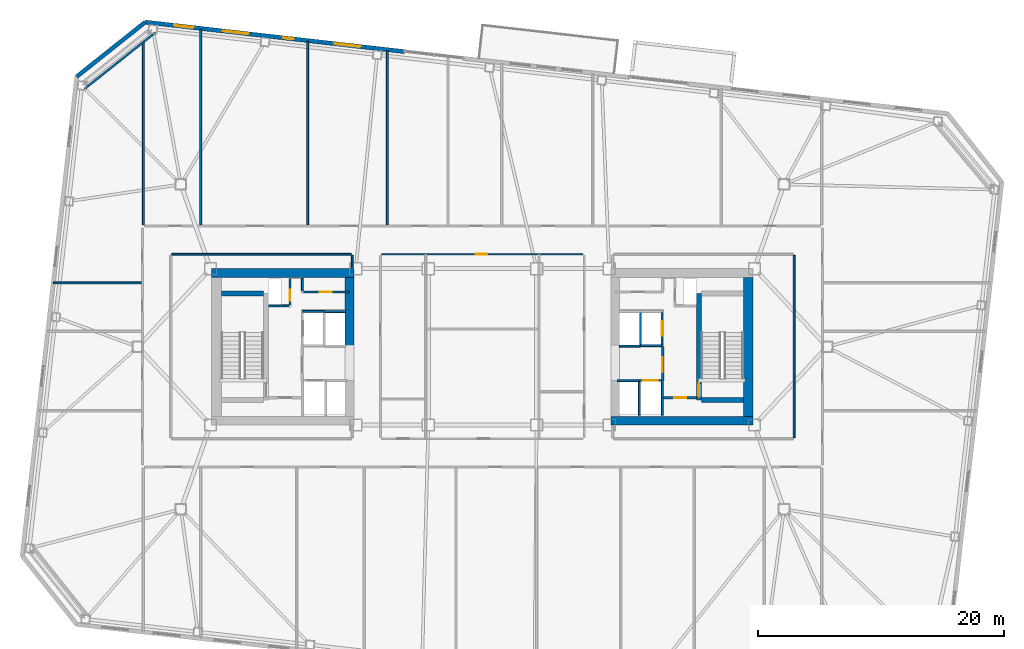
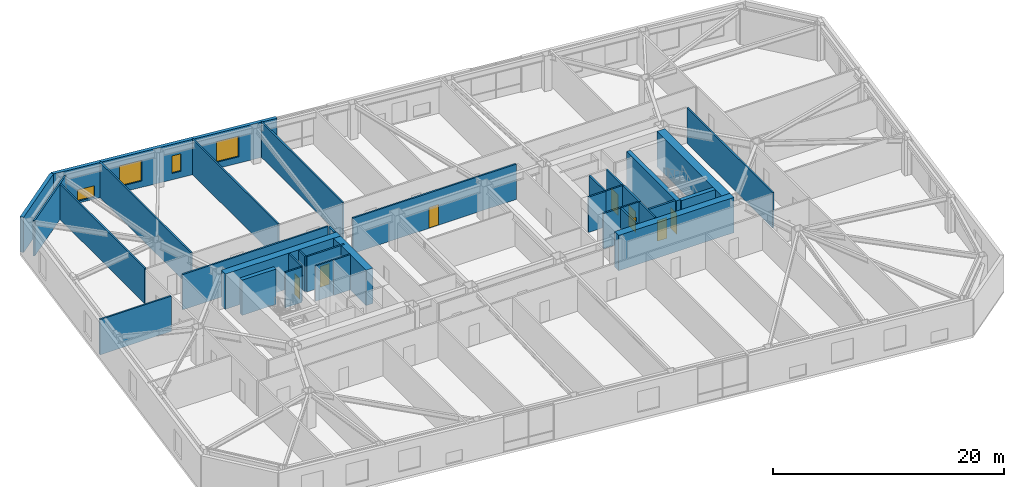
# One storey, part 13 of 21: 35 walls, 8 doors, 4 windows, 12 openings.
"""IFC4 building model written with IfcOpenShell, lengths in metres."""

import ifcopenshell
import ifcopenshell.guid

model = None  # the IFC model being written
_history = None  # IfcOwnerHistory: only IFC2X3 demands one
_inside = {}  # id of a spatial element -> (the spatial element, [elements in it])
_under = {}  # id of a project, library or spatial element -> (it, [spatial elements below it])
_declared = {}  # id of a project -> (the project, [libraries it declares])
_typed = {}  # id of a type object -> (the type object, [elements of that type])
_made_of = {}  # id of a material, layer set ... -> (it, [elements and type objects made of it])


def new_model(schema):
    """Start an empty IFC model of exactly this schema.

    Asked for "IFC4X3", IfcOpenShell would pick the latest addendum, in which some entities
    have other attributes; the version numbers below select the first issue.
    IFC2X3 requires an IfcOwnerHistory on every rooted entity: one is made here for all.
    """
    global model, _history
    if schema == "IFC4X3":
        model = ifcopenshell.file(schema_version=(4, 3, 0, 0))
    else:
        model = ifcopenshell.file(schema=schema)
    _inside.clear()
    _under.clear()
    _declared.clear()
    _typed.clear()
    _made_of.clear()
    _history = None
    if model.schema == "IFC2X3":
        org = make("IfcOrganization", Name="unknown")
        user = make(
            "IfcPersonAndOrganization",
            ThePerson=make("IfcPerson", FamilyName="unknown"),
            TheOrganization=org,
        )
        app = make(
            "IfcApplication",
            ApplicationDeveloper=org,
            Version="unknown",
            ApplicationFullName="unknown",
            ApplicationIdentifier="unknown",
        )
        _history = make(
            "IfcOwnerHistory",
            OwningUser=user,
            OwningApplication=app,
            ChangeAction="ADDED",
            CreationDate=0,
        )
    return model


def make(cls, **values):
    """One entity of the class cls with the attributes given. An attribute that is None is left unset."""
    return model.create_entity(
        cls, **{name: value for name, value in values.items() if value is not None}
    )


def rooted(cls, **values):
    """An entity with a GlobalId (a new one), such as an element, a storey or a relation."""
    return make(cls, GlobalId=ifcopenshell.guid.new(), OwnerHistory=_history, **values)


def si_unit(unit_type, name, prefix=None):
    """IfcSIUnit, for example si_unit("LENGTHUNIT", "METRE", prefix="MILLI")."""
    return make("IfcSIUnit", UnitType=unit_type, Prefix=prefix, Name=name)


def assignment(units):
    """IfcUnitAssignment: the units of a project."""
    return None if units is None else make("IfcUnitAssignment", Units=units)


def point(xyz):
    """IfcCartesianPoint."""
    return None if xyz is None else make("IfcCartesianPoint", Coordinates=xyz)


def direction(xyz):
    """IfcDirection."""
    return None if xyz is None else make("IfcDirection", DirectionRatios=xyz)


def frame(location, z_axis=None, x_axis=None):
    """IfcAxis2Placement3D, a coordinate frame: its origin and axes. An axis left out is left unset."""
    return make(
        "IfcAxis2Placement3D",
        Location=point(location),
        Axis=direction(z_axis),
        RefDirection=direction(x_axis),
    )


def frame_2d(location, x_axis=None):
    """IfcAxis2Placement2D, a coordinate frame in the plane: its origin and x axis."""
    return make(
        "IfcAxis2Placement2D", Location=point(location), RefDirection=direction(x_axis)
    )


def origin():
    """The frame at (0, 0, 0) with its axes left unset."""
    return frame((0.0, 0.0, 0.0))


def place(relative_to, where):
    """IfcLocalPlacement: puts the frame where relative to a parent placement (None: the world)."""
    return make(
        "IfcLocalPlacement", PlacementRelTo=relative_to, RelativePlacement=where
    )


def context(
    kind, dimensions, precision=None, world=None, true_north=None, identifier=None
):
    """IfcGeometricRepresentationContext, for example the 3D "Model" context."""
    return make(
        "IfcGeometricRepresentationContext",
        ContextIdentifier=identifier,
        ContextType=kind,
        CoordinateSpaceDimension=dimensions,
        Precision=precision,
        WorldCoordinateSystem=world,
        TrueNorth=true_north,
    )


def subcontext(parent, identifier, kind, view, scale=None):
    """IfcGeometricRepresentationSubContext, for example "Body" below "Model"."""
    return make(
        "IfcGeometricRepresentationSubContext",
        ContextIdentifier=identifier,
        ContextType=kind,
        ParentContext=parent,
        TargetScale=scale,
        TargetView=view,
    )


def project(units=None, contexts=None):
    """IfcProject with its units and contexts."""
    return rooted(
        "IfcProject",
        Name="project",
        RepresentationContexts=contexts,
        UnitsInContext=assignment(units),
    )


def spatial(cls, under=None, at=None, **own):
    """A site, building, storey or space (cls), placed at a placement, below another one or the project."""
    s = rooted(cls, ObjectPlacement=at, **own)
    if under is not None:
        _under.setdefault(under.id(), (under, []))[1].append(s)
    return s


def profile(cls, at=None, kind="AREA", **sizes):
    """A parametric profile (cls). Its sizes go by their IFC names, for example OverallWidth=200.0."""
    return make(cls, ProfileType=kind, Position=at, **sizes)


def rectangle(**sizes):
    """IfcRectangleProfileDef."""
    return profile("IfcRectangleProfileDef", **sizes)


def extrude(swept, where, along, depth):
    """IfcExtrudedAreaSolid: the profile swept, set in the frame where, extruded along a direction by depth."""
    return make(
        "IfcExtrudedAreaSolid",
        SweptArea=swept,
        Position=where,
        ExtrudedDirection=direction(along),
        Depth=depth,
    )


def shape(context_of_items, identifier, shape_type, items):
    """IfcShapeRepresentation: the items that make up one representation, for example the "Body"."""
    return make(
        "IfcShapeRepresentation",
        ContextOfItems=context_of_items,
        RepresentationIdentifier=identifier,
        RepresentationType=shape_type,
        Items=items,
    )


def material(Name=None, Category=None):
    """IfcMaterial."""
    return make("IfcMaterial", Name=Name, Category=Category)


def layer(
    of_material, thickness, ventilated=None, Name=None, Category=None, Priority=None
):
    """IfcMaterialLayer: one layer of a wall or slab, of a material (None: an air gap)."""
    return make(
        "IfcMaterialLayer",
        Material=of_material,
        LayerThickness=thickness,
        IsVentilated=ventilated,
        Name=Name,
        Category=Category,
        Priority=Priority,
    )


def layer_set(layers, Name=None):
    """IfcMaterialLayerSet."""
    return make("IfcMaterialLayerSet", MaterialLayers=layers, LayerSetName=Name)


def made_of(thing, what):
    """Note that an element or type object is made of a material, layer set ...; save() writes the relation."""
    if what is not None:
        _made_of.setdefault(what.id(), (what, []))[1].append(thing)
    return thing


def type_object(cls, material=None, **own):
    """A type object (cls), such as IfcWallType, which elements share."""
    return made_of(rooted(cls, **own), material)


def element(
    cls,
    number,
    at=None,
    inside=None,
    cuts=None,
    type_object=None,
    material=None,
    context=None,
    identifier="Body",
    shape_type=None,
    held_by="IfcProductDefinitionShape",
    body=None,
    shapes=None,
    **own,
):
    """One element of the class cls, such as IfcWall. Its Tag is "e" and its number.

    at: its placement. inside: the storey or other place that contains it. cuts: it is an
    opening in that element (IfcRelVoidsElement). A single representation is given by context,
    identifier, shape_type and body (its items); several are given by shapes. held_by: the class
    of the entity that holds the representations. save() writes the other relations.
    """
    e = rooted(cls, Tag="e%d" % number, ObjectPlacement=at, **own)
    if body is not None:
        shapes = [shape(context, identifier, shape_type, body)]
    if shapes is not None:
        e.Representation = make(held_by, Representations=shapes)
    if inside is not None:
        _inside.setdefault(inside.id(), (inside, []))[1].append(e)
    if cuts is not None:
        rooted(
            "IfcRelVoidsElement", RelatingBuildingElement=cuts, RelatedOpeningElement=e
        )
    if type_object is not None:
        _typed.setdefault(type_object.id(), (type_object, []))[1].append(e)
    return made_of(e, material)


def fill(opening, filler):
    """IfcRelFillsElement: the door or window that sits in an opening."""
    return rooted(
        "IfcRelFillsElement",
        RelatingOpeningElement=opening,
        RelatedBuildingElement=filler,
    )


def aggregate(whole, parts):
    """IfcRelAggregates: a whole, such as a stair, and the parts it consists of."""
    return rooted("IfcRelAggregates", RelatingObject=whole, RelatedObjects=parts)


def save(model, path):
    """Write the relations noted so far, then the file.

    IfcRelAggregates (storeys below a building ...), IfcRelContainedInSpatialStructure (elements
    in a storey), IfcRelDefinesByType, IfcRelAssociatesMaterial and IfcRelDeclares: one each for
    every whole, place, type object, material and project.
    """
    for whole, parts in _under.values():
        aggregate(whole, parts)
    for where, things in _inside.values():
        rooted(
            "IfcRelContainedInSpatialStructure",
            RelatedElements=things,
            RelatingStructure=where,
        )
    for kind, things in _typed.values():
        rooted("IfcRelDefinesByType", RelatedObjects=things, RelatingType=kind)
    for what, things in _made_of.values():
        rooted("IfcRelAssociatesMaterial", RelatedObjects=things, RelatingMaterial=what)
    for by, libraries in _declared.values():
        rooted("IfcRelDeclares", RelatingContext=by, RelatedDefinitions=libraries)
    model.write(path)


model = new_model("IFC4")

# Units and contexts
model_context = context("Model", 3, precision=1e-05, world=origin(), true_north=direction((0.0, 1.0)))
body_context = subcontext(model_context, "Body", "Model", "MODEL_VIEW")
ifc_project = project(units=[si_unit("LENGTHUNIT", "METRE"), si_unit("AREAUNIT", "SQUARE_METRE"), si_unit("VOLUMEUNIT", "CUBIC_METRE"), si_unit("PLANEANGLEUNIT", "RADIAN"), si_unit("MASSUNIT", "GRAM", prefix="KILO")], contexts=[model_context])

# Site, building, storey
site_placement = place(None, origin())
site = spatial("IfcSite", under=ifc_project, at=site_placement, CompositionType="ELEMENT")
building_placement = place(site_placement, origin())
building = spatial("IfcBuilding", under=site, at=building_placement, Name="Tavrogorsk Clinical Tower", CompositionType="ELEMENT")
storey_placement = place(building_placement, frame((0.0, 0.0, 125.39990234375)))
storey = spatial("IfcBuildingStorey", under=building, at=storey_placement, Name="L28", CompositionType="ELEMENT", Elevation=125.39990234375)

# Wall, opening, door
ifc_material_1 = material(Name="Concrete B60", Category="concrete")
ifc_layer_1 = layer(ifc_material_1, 0.199951171875)
ifc_layer_set_1 = layer_set([ifc_layer_1], Name="Concrete B60")
wall_type_1 = type_object("IfcWallType", Name="CoreFireWall_200", PredefinedType="SOLIDWALL", material=ifc_layer_set_1)
wall_1_placement = place(storey_placement, frame((14.719970703125, -4.139892578125, 0.0), z_axis=(0.0, 0.0, 1.0), x_axis=(1.0, 0.0, 0.0)))
wall_1 = element("IfcWall", 1, at=wall_1_placement, inside=storey, type_object=wall_type_1, Name="L28 Core East South Core Room Fire Wall", PredefinedType="SOLIDWALL", context=body_context, shape_type="SweptSolid", body=[
    extrude(rectangle(XDim=2.659912109375, YDim=0.199951171875, at=frame_2d((1.330078125, 0.0))), origin(), (0.0, 0.0, 1.0), 3.739990234375),
])
opening_1_placement = place(wall_1_placement, frame((0.8798828125, 0.0, 0.0)))
opening_1 = element("IfcOpeningElement", 2, at=opening_1_placement, cuts=wall_1, Name="Opening ID-02", PredefinedType="OPENING", context=body_context, shape_type="SweptSolid", body=[
    extrude(rectangle(XDim=0.949951171875, YDim=2.199951171875, at=frame_2d((0.47509765625, 1.10009765625))), frame((0.0, 0.10986328125, 0.0), z_axis=(0.0, -1.0, 0.0), x_axis=(1.0, 0.0, 0.0)), (0.0, 0.0, 1.0), 0.219970703125),
])
ifc_material_2 = material(Name="Laminated timber leaf on aluminium frame", Category="wood")
door_type_1 = type_object("IfcDoorType", Name="InteriorDoor_ID02_950", OperationType="NOTDEFINED", PredefinedType="DOOR", material=ifc_material_2)
door_1_placement = place(opening_1_placement, origin())
door_1 = element("IfcDoor", 3, at=door_1_placement, inside=storey, type_object=door_type_1, Name="L28 Core East South Core Room Door", OperationType="SINGLE_SWING_RIGHT", OverallHeight=2.199951171875, OverallWidth=0.949951171875, PredefinedType="DOOR", context=body_context, shape_type="SweptSolid", body=[
    extrude(rectangle(XDim=0.949951171875, YDim=2.199951171875, at=frame_2d((0.47509765625, 1.10009765625))), frame((0.0, 0.02490234375, 0.0), z_axis=(0.0, -1.0, 0.0), x_axis=(1.0, 0.0, 0.0)), (0.0, 0.0, 1.0), 0.050048828125),
])
fill(opening_1, door_1)

wall_2_placement = place(storey_placement, frame((14.639892578125, -2.780029296875, 0.0), z_axis=(0.0, 0.0, 1.0), x_axis=(0.0, 1.0, 0.0)))
wall_2 = element("IfcWall", 4, at=wall_2_placement, inside=storey, type_object=wall_type_1, Name="L28 Core East Firefighting Lobby Fire Wall", PredefinedType="SOLIDWALL", context=body_context, shape_type="SweptSolid", body=[
    extrude(rectangle(XDim=2.820068359375, YDim=0.199951171875, at=frame_2d((1.41015625, 0.0))), origin(), (0.0, 0.0, 1.0), 3.739990234375),
])
opening_2_placement = place(wall_2_placement, frame((0.72998046875, 0.0, 0.0)))
opening_2 = element("IfcOpeningElement", 5, at=opening_2_placement, cuts=wall_2, Name="Opening FD-01", PredefinedType="OPENING", context=body_context, shape_type="SweptSolid", body=[
    extrude(rectangle(XDim=1.199951171875, YDim=2.199951171875, at=frame_2d((0.60009765625, 1.10009765625))), frame((0.0, 0.10986328125, 0.0), z_axis=(0.0, -1.0, 0.0), x_axis=(1.0, 0.0, 0.0)), (0.0, 0.0, 1.0), 0.219970703125),
])
ifc_material_3 = material(Name="Galvanised steel fire-rated door assembly", Category="steel")
door_type_2 = type_object("IfcDoorType", Name="FireDoor_FD01_1200", OperationType="NOTDEFINED", PredefinedType="DOOR", material=ifc_material_3)
door_2_placement = place(opening_2_placement, origin())
door_2 = element("IfcDoor", 6, at=door_2_placement, inside=storey, type_object=door_type_2, Name="L28 Core East Firefighting Lobby Entry Door", OperationType="SINGLE_SWING_RIGHT", OverallHeight=2.199951171875, OverallWidth=1.199951171875, PredefinedType="DOOR", context=body_context, shape_type="SweptSolid", body=[
    extrude(rectangle(XDim=1.199951171875, YDim=2.199951171875, at=frame_2d((0.60009765625, 1.10009765625))), frame((0.0, 0.02490234375, 0.0), z_axis=(0.0, -1.0, 0.0), x_axis=(1.0, 0.0, 0.0)), (0.0, 0.0, 1.0), 0.050048828125),
])
fill(opening_2, door_2)

ifc_material_4 = material(Name="Lightweight concrete blockwork B15", Category="masonry")
ifc_layer_2 = layer(ifc_material_4, 0.159912109375)
ifc_layer_set_2 = layer_set([ifc_layer_2], Name="Lightweight concrete blockwork B15")
wall_type_2 = type_object("IfcWallType", Name="PartitionWall_160", PredefinedType="PARTITIONING", material=ifc_layer_set_2)
wall_3_placement = place(storey_placement, frame((-14.554931640625, 4.4599609375, 0.0), z_axis=(0.0, 0.0, 1.0), x_axis=(1.0, 0.0, 0.0)))
wall_3 = element("IfcWall", 7, at=wall_3_placement, inside=storey, type_object=wall_type_2, Name="L28 Core West Pneumatic Dispatch South Wall", PredefinedType="PARTITIONING", context=body_context, shape_type="SweptSolid", body=[
    extrude(rectangle(XDim=3.7548828125, YDim=0.159912109375, at=frame_2d((1.87744140625, 0.0))), origin(), (0.0, 0.0, 1.0), 3.739990234375),
])
opening_3_placement = place(wall_3_placement, frame((1.35009765625, 0.0, 0.0)))
opening_3 = element("IfcOpeningElement", 8, at=opening_3_placement, cuts=wall_3, Name="Opening ID-02", PredefinedType="OPENING", context=body_context, shape_type="SweptSolid", body=[
    extrude(rectangle(XDim=0.949951171875, YDim=2.199951171875, at=frame_2d((0.47509765625, 1.10009765625))), frame((0.0, 0.08984375, 0.0), z_axis=(0.0, -1.0, 0.0), x_axis=(1.0, 0.0, 0.0)), (0.0, 0.0, 1.0), 0.179931640625),
])
door_3_placement = place(opening_3_placement, origin())
door_3 = element("IfcDoor", 9, at=door_3_placement, inside=storey, type_object=door_type_1, Name="L28 Core West Pneumatic Dispatch Door", OperationType="SINGLE_SWING_LEFT", OverallHeight=2.199951171875, OverallWidth=0.949951171875, PredefinedType="DOOR", context=body_context, shape_type="SweptSolid", body=[
    extrude(rectangle(XDim=0.949951171875, YDim=2.199951171875, at=frame_2d((0.47509765625, 1.10009765625))), frame((0.0, 0.02490234375, 0.0), z_axis=(0.0, -1.0, 0.0), x_axis=(1.0, 0.0, 0.0)), (0.0, 0.0, 1.0), 0.050048828125),
])
fill(opening_3, door_3)

# Walls
wall_4_placement = place(storey_placement, frame((-14.639892578125, 4.544921875, 0.0), z_axis=(0.0, 0.0, 1.0), x_axis=(0.0, 1.0, 0.0)))
element("IfcWall", 10, at=wall_4_placement, inside=storey, type_object=wall_type_2, Name="L28 Core West Pneumatic Dispatch East Wall", PredefinedType="PARTITIONING", context=body_context, shape_type="SweptSolid", body=[
    extrude(rectangle(XDim=1.01513671875, YDim=0.159912109375, at=frame_2d((0.507568359375, 0.0))), origin(), (0.0, 0.0, 1.0), 3.739990234375),
])
wall_5_placement = place(storey_placement, frame((-26.5712890625, 25.534912109375, 0.0), z_axis=(0.0, 0.0, 1.0), x_axis=(-0.782617962887, -0.622502308564, 0.0)))
element("IfcWall", 11, at=wall_5_placement, inside=storey, type_object=wall_type_2, Name="L28 Corner Exoskeleton Brace Furring Wall 3", PredefinedType="PARTITIONING", context=body_context, shape_type="SweptSolid", body=[
    extrude(rectangle(XDim=7.35400390625, YDim=0.159912109375, at=frame_2d((3.677001953125, 0.0))), origin(), (0.0, 0.0, 1.0), 3.739990234375),
])
wall_6_placement = place(storey_placement, frame((25.320068359375, -7.385009765625, 0.0), z_axis=(0.0, 0.0, 1.0), x_axis=(0.0, 1.0, 0.0)))
element("IfcWall", 12, at=wall_6_placement, inside=storey, type_object=wall_type_2, Name="L28 Corridor Partition 09", PredefinedType="PARTITIONING", context=body_context, shape_type="SweptSolid", body=[
    extrude(rectangle(XDim=14.820068359375, YDim=0.159912109375, at=frame_2d((7.41015625, 0.0))), origin(), (0.0, 0.0, 1.0), 3.739990234375),
])

# Wall, opening, door
wall_7_placement = place(storey_placement, frame((8.18505859375, 7.52001953125, 0.0), z_axis=(0.0, 0.0, 1.0), x_axis=(-1.0, 0.0, 0.0)))
wall_7 = element("IfcWall", 13, at=wall_7_placement, inside=storey, type_object=wall_type_2, Name="L28 Corridor Partition 11", PredefinedType="PARTITIONING", context=body_context, shape_type="SweptSolid", body=[
    extrude(rectangle(XDim=16.3701171875, YDim=0.159912109375, at=frame_2d((8.18505859375, 0.0))), origin(), (0.0, 0.0, 1.0), 3.739990234375),
])
opening_4_placement = place(wall_7_placement, frame((7.794921875, 0.0, 0.0)))
opening_4 = element("IfcOpeningElement", 14, at=opening_4_placement, cuts=wall_7, Name="Opening ID-02", PredefinedType="OPENING", context=body_context, shape_type="SweptSolid", body=[
    extrude(rectangle(XDim=0.949951171875, YDim=2.199951171875, at=frame_2d((0.47509765625, 1.10009765625))), frame((0.0, 0.08984375, 0.0), z_axis=(0.0, -1.0, 0.0), x_axis=(1.0, 0.0, 0.0)), (0.0, 0.0, 1.0), 0.179931640625),
])
door_4_placement = place(opening_4_placement, origin())
door_4 = element("IfcDoor", 15, at=door_4_placement, inside=storey, type_object=door_type_1, Name="L28 Nurses' Station & Triage Hub Door", OperationType="SINGLE_SWING_LEFT", OverallHeight=2.199951171875, OverallWidth=0.949951171875, PredefinedType="DOOR", context=body_context, shape_type="SweptSolid", body=[
    extrude(rectangle(XDim=0.949951171875, YDim=2.199951171875, at=frame_2d((0.47509765625, 1.10009765625))), frame((0.0, 0.02490234375, 0.0), z_axis=(0.0, -1.0, 0.0), x_axis=(1.0, 0.0, 0.0)), (0.0, 0.0, 1.0), 0.050048828125),
])
fill(opening_4, door_4)

# Walls
wall_8_placement = place(storey_placement, frame((-10.580078125, 6.419921875, 0.0), z_axis=(0.0, 0.0, 1.0), x_axis=(0.0, 1.0, 0.0)))
element("IfcWall", 16, at=wall_8_placement, inside=storey, type_object=wall_type_2, Name="L28 Corridor Partition 15", PredefinedType="PARTITIONING", context=body_context, shape_type="SweptSolid", body=[
    extrude(rectangle(XDim=1.01513671875, YDim=0.159912109375, at=frame_2d((0.507568359375, 0.0))), origin(), (0.0, 0.0, 1.0), 3.739990234375),
])
wall_9_placement = place(storey_placement, frame((-10.6650390625, 7.52001953125, 0.0), z_axis=(0.0, 0.0, 1.0), x_axis=(-1.0, 0.0, 0.0)))
element("IfcWall", 17, at=wall_9_placement, inside=storey, type_object=wall_type_2, Name="L28 Corridor Partition 16", PredefinedType="PARTITIONING", context=body_context, shape_type="SweptSolid", body=[
    extrude(rectangle(XDim=14.570068359375, YDim=0.159912109375, at=frame_2d((7.28515625, 0.0))), origin(), (0.0, 0.0, 1.0), 3.739990234375),
])
wall_10_placement = place(storey_placement, frame((-27.550048828125, 9.9150390625, 0.0), z_axis=(0.0, 0.0, 1.0), x_axis=(0.0, 1.0, 0.0)))
element("IfcWall", 18, at=wall_10_placement, inside=storey, type_object=wall_type_2, Name="L28 NW Wing Closure Partition", PredefinedType="PARTITIONING", context=body_context, shape_type="SweptSolid", body=[
    extrude(rectangle(XDim=14.858642578125, YDim=0.159912109375, at=frame_2d((7.42919921875, 0.0))), origin(), (0.0, 0.0, 1.0), 3.739990234375),
])
wall_11_placement = place(storey_placement, frame((-22.89990234375, 9.9150390625, 0.0), z_axis=(0.0, 0.0, 1.0), x_axis=(0.0, 1.0, 0.0)))
element("IfcWall", 19, at=wall_11_placement, inside=storey, type_object=wall_type_2, Name="L28 North Room Partition 1", PredefinedType="PARTITIONING", context=body_context, shape_type="SweptSolid", body=[
    extrude(rectangle(XDim=15.886474609375, YDim=0.159912109375, at=frame_2d((7.943359375, 0.0))), origin(), (0.0, 0.0, 1.0), 3.739990234375),
])
wall_12_placement = place(storey_placement, frame((-14.199951171875, 9.9150390625, 0.0), z_axis=(0.0, 0.0, 1.0), x_axis=(0.0, 1.0, 0.0)))
element("IfcWall", 20, at=wall_12_placement, inside=storey, type_object=wall_type_2, Name="L28 North Room Partition 2", PredefinedType="PARTITIONING", context=body_context, shape_type="SweptSolid", body=[
    extrude(rectangle(XDim=14.895263671875, YDim=0.159912109375, at=frame_2d((7.44775390625, 0.0))), origin(), (0.0, 0.0, 1.0), 3.739990234375),
])
wall_13_placement = place(storey_placement, frame((-7.719970703125, 9.9150390625, 0.0), z_axis=(0.0, 0.0, 1.0), x_axis=(0.0, 1.0, 0.0)))
element("IfcWall", 21, at=wall_13_placement, inside=storey, type_object=wall_type_2, Name="L28 North Sub-Partition 3", PredefinedType="PARTITIONING", context=body_context, shape_type="SweptSolid", body=[
    extrude(rectangle(XDim=14.156982421875, YDim=0.159912109375, at=frame_2d((7.07861328125, 0.0))), origin(), (0.0, 0.0, 1.0), 3.739990234375),
])
wall_14_placement = place(storey_placement, frame((-34.857177734375, 5.199951171875, 0.0), z_axis=(0.0, 0.0, 1.0), x_axis=(1.0, 0.0, 0.0)))
element("IfcWall", 22, at=wall_14_placement, inside=storey, type_object=wall_type_2, Name="L28 W Wing Divider 3", PredefinedType="PARTITIONING", context=body_context, shape_type="SweptSolid", body=[
    extrude(rectangle(XDim=7.14208984375, YDim=0.159912109375, at=frame_2d((3.571044921875, 0.0))), origin(), (0.0, 0.0, 1.0), 3.739990234375),
])

# Wall, openings, windows
ifc_material_5 = material(Name="Precast concrete B45 with limestone cladding", Category="masonry")
ifc_layer_3 = layer(ifc_material_5, 0.340087890625)
ifc_layer_set_3 = layer_set([ifc_layer_3], Name="Precast concrete B45 with limestone cladding")
wall_type_3 = type_object("IfcWallType", Name="PrecastLimestoneWall_340", PredefinedType="STANDARD", material=ifc_layer_set_3)
wall_15_placement = place(storey_placement, frame((-6.314453125, 23.982177734375, 0.0), z_axis=(0.0, 0.0, 1.0), x_axis=(-0.993571362037, 0.113207546299, 0.0)))
wall_15 = element("IfcWall", 23, at=wall_15_placement, inside=storey, type_object=wall_type_3, Name="L28 N Limestone Facade Wall 3", PredefinedType="STANDARD", context=body_context, shape_type="SweptSolid", body=[
    extrude(rectangle(XDim=21.222900390625, YDim=0.340087890625, at=frame_2d((10.611328125, 0.0))), origin(), (0.0, 0.0, 1.0), 3.739990234375),
])
opening_5_placement = place(wall_15_placement, frame((17.264892578125, 0.0, 0.219970703125)))
opening_5 = element("IfcOpeningElement", 24, at=opening_5_placement, cuts=wall_15, Name="Opening WN-09", PredefinedType="OPENING", context=body_context, shape_type="SweptSolid", body=[
    extrude(rectangle(XDim=1.60009765625, YDim=1.199951171875, at=frame_2d((0.800048828125, 0.60009765625))), frame((0.0, 0.179931640625, 0.0), z_axis=(0.0, -1.0, 0.0), x_axis=(1.0, 0.0, 0.0)), (0.0, 0.0, 1.0), 0.360107421875),
])
opening_6_placement = place(wall_15_placement, frame((12.793701171875, 0.0, 0.669921875)))
opening_6 = element("IfcOpeningElement", 25, at=opening_6_placement, cuts=wall_15, Name="Opening WN-03", PredefinedType="OPENING", context=body_context, shape_type="SweptSolid", body=[
    extrude(rectangle(XDim=2.10009765625, YDim=2.199951171875, at=frame_2d((1.050048828125, 1.10009765625))), frame((0.0, 0.179931640625, 0.0), z_axis=(0.0, -1.0, 0.0), x_axis=(1.0, 0.0, 0.0)), (0.0, 0.0, 1.0), 0.360107421875),
])
opening_7_placement = place(wall_15_placement, frame((9.087890625, 0.0, 0.669921875)))
opening_7 = element("IfcOpeningElement", 26, at=opening_7_placement, cuts=wall_15, Name="Opening WN-06", PredefinedType="OPENING", context=body_context, shape_type="SweptSolid", body=[
    extrude(rectangle(XDim=0.85009765625, YDim=1.85009765625, at=frame_2d((0.425048828125, 0.925048828125))), frame((0.0, 0.179931640625, 0.0), z_axis=(0.0, -1.0, 0.0), x_axis=(1.0, 0.0, 0.0)), (0.0, 0.0, 1.0), 0.360107421875),
])
opening_8_placement = place(wall_15_placement, frame((3.616455078125, 0.0, 0.669921875)))
opening_8 = element("IfcOpeningElement", 27, at=opening_8_placement, cuts=wall_15, Name="Opening WN-03", PredefinedType="OPENING", context=body_context, shape_type="SweptSolid", body=[
    extrude(rectangle(XDim=2.10009765625, YDim=2.199951171875, at=frame_2d((1.050048828125, 1.10009765625))), frame((0.0, 0.179931640625, 0.0), z_axis=(0.0, -1.0, 0.0), x_axis=(1.0, 0.0, 0.0)), (0.0, 0.0, 1.0), 0.360107421875),
])
ifc_material_6 = material(Name="Thermally broken aluminium frame and triple IGU", Category="aluminium")
window_type_1 = type_object("IfcWindowType", Name="LowHeadTransWin_1600x1200", PartitioningType="DOUBLE_PANEL_VERTICAL", PredefinedType="WINDOW", material=ifc_material_6)
window_1_placement = place(opening_5_placement, origin())
window_1 = element("IfcWindow", 28, at=window_1_placement, inside=storey, type_object=window_type_1, Name="L28 N Chicago Window 01", OverallHeight=1.199951171875, OverallWidth=1.60009765625, PartitioningType="SINGLE_PANEL", PredefinedType="WINDOW", context=body_context, shape_type="SweptSolid", body=[
    extrude(rectangle(XDim=1.60009765625, YDim=1.199951171875, at=frame_2d((0.800048828125, 0.60009765625))), frame((0.0, 0.030029296875, 0.0), z_axis=(0.0, -1.0, 0.0), x_axis=(1.0, 0.0, 0.0)), (0.0, 0.0, 1.0), 0.06005859375),
])
fill(opening_5, window_1)
ifc_material_7 = material(Name="Thermally broken aluminium frame and triple IGU", Category="aluminium")
window_type_2 = type_object("IfcWindowType", Name="MullionSubWin_850x1850", PartitioningType="SINGLE_PANEL", PredefinedType="WINDOW", material=ifc_material_7)
window_2_placement = place(opening_7_placement, origin())
window_2 = element("IfcWindow", 29, at=window_2_placement, inside=storey, type_object=window_type_2, Name="L28 N Mullion Split Window 03B", OverallHeight=1.85009765625, OverallWidth=0.85009765625, PartitioningType="SINGLE_PANEL", PredefinedType="WINDOW", context=body_context, shape_type="SweptSolid", body=[
    extrude(rectangle(XDim=0.85009765625, YDim=1.85009765625, at=frame_2d((0.425048828125, 0.925048828125))), frame((0.0, 0.030029296875, 0.0), z_axis=(0.0, -1.0, 0.0), x_axis=(1.0, 0.0, 0.0)), (0.0, 0.0, 1.0), 0.06005859375),
])
fill(opening_7, window_2)
ifc_material_8 = material(Name="Thermally broken aluminium frame and triple IGU", Category="aluminium")
window_type_3 = type_object("IfcWindowType", Name="PatientTwinWin_2100x2200", PartitioningType="DOUBLE_PANEL_VERTICAL", PredefinedType="WINDOW", material=ifc_material_8)
window_3_placement = place(opening_6_placement, origin())
window_3 = element("IfcWindow", 30, at=window_3_placement, inside=storey, type_object=window_type_3, Name="L28 N Chicago Window 02", OverallHeight=2.199951171875, OverallWidth=2.10009765625, PartitioningType="SINGLE_PANEL", PredefinedType="WINDOW", context=body_context, shape_type="SweptSolid", body=[
    extrude(rectangle(XDim=2.10009765625, YDim=2.199951171875, at=frame_2d((1.050048828125, 1.10009765625))), frame((0.0, 0.030029296875, 0.0), z_axis=(0.0, -1.0, 0.0), x_axis=(1.0, 0.0, 0.0)), (0.0, 0.0, 1.0), 0.06005859375),
])
fill(opening_6, window_3)
window_4_placement = place(opening_8_placement, origin())
window_4 = element("IfcWindow", 31, at=window_4_placement, inside=storey, type_object=window_type_3, Name="L28 N Chicago Window 04", OverallHeight=2.199951171875, OverallWidth=2.10009765625, PartitioningType="SINGLE_PANEL", PredefinedType="WINDOW", context=body_context, shape_type="SweptSolid", body=[
    extrude(rectangle(XDim=2.10009765625, YDim=2.199951171875, at=frame_2d((1.050048828125, 1.10009765625))), frame((0.0, 0.030029296875, 0.0), z_axis=(0.0, -1.0, 0.0), x_axis=(1.0, 0.0, 0.0)), (0.0, 0.0, 1.0), 0.06005859375),
])
fill(opening_8, window_4)

# Walls
wall_16_placement = place(storey_placement, frame((-27.40087890625, 26.384765625, 0.0), z_axis=(0.0, 0.0, 1.0), x_axis=(-0.78261359446, -0.622507800567, 0.0)))
element("IfcWall", 32, at=wall_16_placement, inside=storey, type_object=wall_type_3, Name="L28 Chamfered Corner Wall 3", PredefinedType="STANDARD", context=body_context, shape_type="SweptSolid", body=[
    extrude(rectangle(XDim=7.113525390625, YDim=0.340087890625, at=frame_2d((3.556640625, 0.0))), origin(), (0.0, 0.0, 1.0), 3.739990234375),
])
ifc_material_9 = material(Name="Lightweight concrete blockwork B25", Category="masonry")
ifc_layer_4 = layer(ifc_material_9, 0.159912109375)
ifc_layer_set_4 = layer_set([ifc_layer_4], Name="Lightweight concrete blockwork B25")
wall_type_4 = type_object("IfcWallType", Name="ShaftWall_160", PredefinedType="PARTITIONING", material=ifc_layer_set_4)
wall_17_placement = place(storey_placement, frame((-14.60009765625, 2.8798828125, 0.0), z_axis=(0.0, 0.0, 1.0), x_axis=(1.0, 0.0, 0.0)))
element("IfcWall", 33, at=wall_17_placement, inside=storey, type_object=wall_type_4, Name="L28 FFL-W Shaft North Wall", PredefinedType="PARTITIONING", context=body_context, shape_type="SweptSolid", body=[
    extrude(rectangle(XDim=1.760009765625, YDim=0.159912109375, at=frame_2d((0.8798828125, 0.0))), origin(), (0.0, 0.0, 1.0), 3.739990234375),
])
wall_18_placement = place(storey_placement, frame((-12.820068359375, 2.860107421875, 0.0), z_axis=(0.0, 0.0, 1.0), x_axis=(1.0, 0.0, 0.0)))
element("IfcWall", 34, at=wall_18_placement, inside=storey, type_object=wall_type_4, Name="L28 LP-H1 High-Zone Lift Rear Wall", PredefinedType="PARTITIONING", context=body_context, shape_type="SweptSolid", body=[
    extrude(rectangle(XDim=1.719970703125, YDim=0.159912109375, at=frame_2d((0.85986328125, 0.0))), origin(), (0.0, 0.0, 1.0), 3.739990234375),
])

# Wall, opening, door
wall_19_placement = place(storey_placement, frame((14.60009765625, 0.1201171875, 0.0), z_axis=(0.0, 0.0, 1.0), x_axis=(0.0, 1.0, 0.0)))
wall_19 = element("IfcWall", 35, at=wall_19_placement, inside=storey, type_object=wall_type_4, Name="L28 FFL-E Firefighting Lift Front Wall", PredefinedType="PARTITIONING", context=body_context, shape_type="SweptSolid", body=[
    extrude(rectangle(XDim=2.739990234375, YDim=0.159912109375, at=frame_2d((1.3701171875, 0.0))), origin(), (0.0, 0.0, 1.0), 3.739990234375),
])
opening_9_placement = place(wall_19_placement, frame((0.77001953125, 0.0, 0.0)))
opening_9 = element("IfcOpeningElement", 36, at=opening_9_placement, cuts=wall_19, Name="Opening LD", PredefinedType="OPENING", context=body_context, shape_type="SweptSolid", body=[
    extrude(rectangle(XDim=1.199951171875, YDim=2.199951171875, at=frame_2d((0.60009765625, 1.10009765625))), frame((0.0, 0.08984375, 0.0), z_axis=(0.0, -1.0, 0.0), x_axis=(1.0, 0.0, 0.0)), (0.0, 0.0, 1.0), 0.179931640625),
])
ifc_material_10 = material(Name="Brushed stainless steel AISI 304 sliding doors", Category="steel")
door_type_3 = type_object("IfcDoorType", Name="LiftLandingDoor_LD_1200", OperationType="SLIDING_TO_LEFT", PredefinedType="DOOR", material=ifc_material_10)
door_5_placement = place(opening_9_placement, origin())
door_5 = element("IfcDoor", 37, at=door_5_placement, inside=storey, type_object=door_type_3, Name="L28 FFL-E Sliding Lift Landing Door", OperationType="SLIDING_TO_LEFT", OverallHeight=2.199951171875, OverallWidth=1.199951171875, PredefinedType="DOOR", context=body_context, shape_type="SweptSolid", body=[
    extrude(rectangle(XDim=1.199951171875, YDim=2.199951171875, at=frame_2d((0.60009765625, 1.10009765625))), frame((0.0, 0.02490234375, 0.0), z_axis=(0.0, -1.0, 0.0), x_axis=(1.0, 0.0, 0.0)), (0.0, 0.0, 1.0), 0.050048828125),
])
fill(opening_9, door_5)

# Walls
wall_20_placement = place(storey_placement, frame((12.840087890625, 0.10009765625, 0.0), z_axis=(0.0, 0.0, 1.0), x_axis=(1.0, 0.0, 0.0)))
element("IfcWall", 38, at=wall_20_placement, inside=storey, type_object=wall_type_4, Name="L28 FFL-E Shaft South Wall", PredefinedType="PARTITIONING", context=body_context, shape_type="SweptSolid", body=[
    extrude(rectangle(XDim=1.760009765625, YDim=0.159912109375, at=frame_2d((0.8798828125, 0.0))), origin(), (0.0, 0.0, 1.0), 3.739990234375),
])
wall_21_placement = place(storey_placement, frame((12.840087890625, 0.179931640625, 0.0), z_axis=(0.0, 0.0, 1.0), x_axis=(0.0, 1.0, 0.0)))
element("IfcWall", 39, at=wall_21_placement, inside=storey, type_object=wall_type_4, Name="L28 FFL-E Shaft Back Wall", PredefinedType="PARTITIONING", context=body_context, shape_type="SweptSolid", body=[
    extrude(rectangle(XDim=2.6201171875, YDim=0.159912109375, at=frame_2d((1.31005859375, 0.0))), origin(), (0.0, 0.0, 1.0), 3.739990234375),
])

# Wall, opening, door
wall_22_placement = place(storey_placement, frame((12.77001953125, -2.75, 0.0), z_axis=(0.0, 0.0, 1.0), x_axis=(1.0, 0.0, 0.0)))
wall_22 = element("IfcWall", 40, at=wall_22_placement, inside=storey, type_object=wall_type_4, Name="L28 LP-L2 Lift Shaft Portal Wall", PredefinedType="PARTITIONING", context=body_context, shape_type="SweptSolid", body=[
    extrude(rectangle(XDim=1.760009765625, YDim=0.159912109375, at=frame_2d((0.8798828125, 0.0))), origin(), (0.0, 0.0, 1.0), 3.739990234375),
])
opening_10_placement = place(wall_22_placement, frame((0.280029296875, 0.0, 0.0)))
opening_10 = element("IfcOpeningElement", 41, at=opening_10_placement, cuts=wall_22, Name="Opening LD", PredefinedType="OPENING", context=body_context, shape_type="SweptSolid", body=[
    extrude(rectangle(XDim=1.199951171875, YDim=2.199951171875, at=frame_2d((0.60009765625, 1.10009765625))), frame((0.0, 0.08984375, 0.0), z_axis=(0.0, -1.0, 0.0), x_axis=(1.0, 0.0, 0.0)), (0.0, 0.0, 1.0), 0.179931640625),
])
door_6_placement = place(opening_10_placement, origin())
door_6 = element("IfcDoor", 42, at=door_6_placement, inside=storey, type_object=door_type_3, Name="L28 LP-L2 Sliding Lift Landing Door", OperationType="SLIDING_TO_LEFT", OverallHeight=2.199951171875, OverallWidth=1.199951171875, PredefinedType="DOOR", context=body_context, shape_type="SweptSolid", body=[
    extrude(rectangle(XDim=1.199951171875, YDim=2.199951171875, at=frame_2d((0.60009765625, 1.10009765625))), frame((0.0, 0.02490234375, 0.0), z_axis=(0.0, -1.0, 0.0), x_axis=(1.0, 0.0, 0.0)), (0.0, 0.0, 1.0), 0.050048828125),
])
fill(opening_10, door_6)

# Walls
for number, where, z_axis, x_axis, name in (
    (43, (12.75, -5.5400390625, 0.0), (0.0, 0.0, 1.0), (0.0, 1.0, 0.0), "L28 LP-L2 Lift Hoistway Divider Wall"),
    (44, (14.610107421875, -5.5400390625, 0.0), (0.0, 0.0, 1.0), (0.0, 1.0, 0.0), "L28 LP-L2 Lift Hoistway Outer Cheek Wall"),
):
    element("IfcWall", number, at=place(storey_placement, frame(where, z_axis=z_axis, x_axis=x_axis)), inside=storey, type_object=wall_type_4, Name=name, PredefinedType="PARTITIONING", context=body_context, shape_type="SweptSolid", body=[
        extrude(rectangle(XDim=2.699951171875, YDim=0.159912109375, at=frame_2d((1.35009765625, 0.0))), origin(), (0.0, 0.0, 1.0), 3.739990234375),
    ])
wall_23_placement = place(storey_placement, frame((10.969970703125, -2.75, 0.0), z_axis=(0.0, 0.0, 1.0), x_axis=(1.0, 0.0, 0.0)))
element("IfcWall", 45, at=wall_23_placement, inside=storey, type_object=wall_type_4, Name="L28 LP-M2 Lift Shaft Portal Wall", PredefinedType="PARTITIONING", context=body_context, shape_type="SweptSolid", body=[
    extrude(rectangle(XDim=1.760009765625, YDim=0.159912109375, at=frame_2d((0.8798828125, 0.0))), origin(), (0.0, 0.0, 1.0), 3.739990234375),
])
wall_24_placement = place(storey_placement, frame((11.10009765625, 0.06005859375, 0.0), z_axis=(0.0, 0.0, 1.0), x_axis=(1.0, 0.0, 0.0)))
element("IfcWall", 46, at=wall_24_placement, inside=storey, type_object=wall_type_4, Name="L28 LP-H2 High-Zone Lift Portal Wall", PredefinedType="PARTITIONING", context=body_context, shape_type="SweptSolid", body=[
    extrude(rectangle(XDim=1.719970703125, YDim=0.159912109375, at=frame_2d((0.85986328125, 0.0))), origin(), (0.0, 0.0, 1.0), 3.739990234375),
])

# Wall, opening, door
wall_25_placement = place(storey_placement, frame((-15.639892578125, 3.405029296875, 0.0), z_axis=(0.0, 0.0, 1.0), x_axis=(0.0, 1.0, 0.0)))
wall_25 = element("IfcWall", 47, at=wall_25_placement, inside=storey, type_object=wall_type_4, Name="L28 Core West Riser West Wall", PredefinedType="PARTITIONING", context=body_context, shape_type="SweptSolid", body=[
    extrude(rectangle(XDim=2.155029296875, YDim=0.159912109375, at=frame_2d((1.07763671875, 0.0))), origin(), (0.0, 0.0, 1.0), 3.739990234375),
])
opening_11_placement = place(wall_25_placement, frame((0.35009765625, 0.0, 0.0)))
opening_11 = element("IfcOpeningElement", 48, at=opening_11_placement, cuts=wall_25, Name="Opening FD-02", PredefinedType="OPENING", context=body_context, shape_type="SweptSolid", body=[
    extrude(rectangle(XDim=0.89990234375, YDim=2.199951171875, at=frame_2d((0.449951171875, 1.10009765625))), frame((0.0, 0.08984375, 0.0), z_axis=(0.0, -1.0, 0.0), x_axis=(1.0, 0.0, 0.0)), (0.0, 0.0, 1.0), 0.179931640625),
])
ifc_material_11 = material(Name="Galvanised steel fire-rated door assembly", Category="steel")
door_type_4 = type_object("IfcDoorType", Name="FireDoor_FD02_900", OperationType="NOTDEFINED", PredefinedType="DOOR", material=ifc_material_11)
door_7_placement = place(opening_11_placement, origin())
door_7 = element("IfcDoor", 49, at=door_7_placement, inside=storey, type_object=door_type_4, Name="L28 Core West Electrical Riser Access Door", OperationType="SINGLE_SWING_LEFT", OverallHeight=2.199951171875, OverallWidth=0.89990234375, PredefinedType="DOOR", context=body_context, shape_type="SweptSolid", body=[
    extrude(rectangle(XDim=0.89990234375, YDim=2.199951171875, at=frame_2d((0.449951171875, 1.10009765625))), frame((0.0, 0.02490234375, 0.0), z_axis=(0.0, -1.0, 0.0), x_axis=(1.0, 0.0, 0.0)), (0.0, 0.0, 1.0), 0.050048828125),
])
fill(opening_11, door_7)

# Walls
wall_26_placement = place(storey_placement, frame((-17.3798828125, 3.320068359375, 0.0), z_axis=(0.0, 0.0, 1.0), x_axis=(1.0, 0.0, 0.0)))
element("IfcWall", 50, at=wall_26_placement, inside=storey, type_object=wall_type_4, Name="L28 Core West Riser South Wall", PredefinedType="PARTITIONING", context=body_context, shape_type="SweptSolid", body=[
    extrude(rectangle(XDim=1.65478515625, YDim=0.159912109375, at=frame_2d((0.827392578125, 0.0))), origin(), (0.0, 0.0, 1.0), 3.739990234375),
])
ifc_material_12 = material(Name="Concrete B80", Category="concrete")
ifc_layer_5 = layer(ifc_material_12, 0.39990234375)
ifc_layer_set_5 = layer_set([ifc_layer_5], Name="Concrete B80")
wall_type_5 = type_object("IfcWallType", Name="ShearWall_400", PredefinedType="SHEAR", material=ifc_layer_set_5)
wall_27_placement = place(storey_placement, frame((-21.199951171875, 4.324951171875, 0.0), z_axis=(0.0, 0.0, 1.0), x_axis=(1.0, 0.0, 0.0)))
element("IfcWall", 51, at=wall_27_placement, inside=storey, type_object=wall_type_5, Name="L28 Core West Stair Shaft North Shear Wall", PredefinedType="SHEAR", context=body_context, shape_type="SweptSolid", body=[
    extrude(rectangle(XDim=3.39990234375, YDim=0.39990234375, at=frame_2d((1.699951171875, 0.0))), origin(), (0.0, 0.0, 1.0), 3.739990234375),
])

# Wall, opening, door
wall_28_placement = place(storey_placement, frame((17.60009765625, -4.324951171875, 0.0), z_axis=(0.0, 0.0, 1.0), x_axis=(0.0, 1.0, 0.0)))
wall_28 = element("IfcWall", 52, at=wall_28_placement, inside=storey, type_object=wall_type_5, Name="L28 Core East Stair Shaft Inner Shear Wall", PredefinedType="SHEAR", context=body_context, shape_type="SweptSolid", body=[
    extrude(rectangle(XDim=8.64990234375, YDim=0.39990234375, at=frame_2d((4.324951171875, 0.0))), origin(), (0.0, 0.0, 1.0), 3.739990234375),
])
opening_12_placement = place(wall_28_placement, frame((0.25, 0.0, 0.0)))
opening_12 = element("IfcOpeningElement", 53, at=opening_12_placement, cuts=wall_28, Name="Opening SD-01", PredefinedType="OPENING", context=body_context, shape_type="SweptSolid", body=[
    extrude(rectangle(XDim=1.10009765625, YDim=2.199951171875, at=frame_2d((0.550048828125, 1.10009765625))), frame((0.0, 0.2099609375, 0.0), z_axis=(0.0, -1.0, 0.0), x_axis=(1.0, 0.0, 0.0)), (0.0, 0.0, 1.0), 0.419921875),
])
ifc_material_13 = material(Name="Galvanised steel smoke-tight fire door assembly", Category="steel")
door_type_5 = type_object("IfcDoorType", Name="StairFireDoor_SD01_1100", OperationType="NOTDEFINED", PredefinedType="DOOR", material=ifc_material_13)
door_8_placement = place(opening_12_placement, origin())
door_8 = element("IfcDoor", 54, at=door_8_placement, inside=storey, type_object=door_type_5, Name="L28 ST-E Exit Stair Door", OperationType="SINGLE_SWING_RIGHT", OverallHeight=2.199951171875, OverallWidth=1.10009765625, PredefinedType="DOOR", context=body_context, shape_type="SweptSolid", body=[
    extrude(rectangle(XDim=1.10009765625, YDim=2.199951171875, at=frame_2d((0.550048828125, 1.10009765625))), frame((0.0, 0.02490234375, 0.0), z_axis=(0.0, -1.0, 0.0), x_axis=(1.0, 0.0, 0.0)), (0.0, 0.0, 1.0), 0.050048828125),
])
fill(opening_12, door_8)

# Walls
wall_29_placement = place(storey_placement, frame((17.800048828125, -4.324951171875, 0.0), z_axis=(0.0, 0.0, 1.0), x_axis=(1.0, 0.0, 0.0)))
element("IfcWall", 55, at=wall_29_placement, inside=storey, type_object=wall_type_5, Name="L28 Core East Stair Shaft South Shear Wall", PredefinedType="SHEAR", context=body_context, shape_type="SweptSolid", body=[
    extrude(rectangle(XDim=3.39990234375, YDim=0.39990234375, at=frame_2d((1.699951171875, 0.0))), origin(), (0.0, 0.0, 1.0), 3.739990234375),
])
ifc_material_14 = material(Name="Concrete B80", Category="concrete")
ifc_layer_6 = layer(ifc_material_14, 0.699951171875)
ifc_layer_set_6 = layer_set([ifc_layer_6], Name="Concrete B80")
wall_type_6 = type_object("IfcWallType", Name="ShearWall_700", PredefinedType="SHEAR", material=ifc_layer_set_6)
wall_30_placement = place(storey_placement, frame((-22.0, 6.0, 0.0), z_axis=(0.0, 0.0, 1.0), x_axis=(1.0, 0.0, 0.0)))
element("IfcWall", 56, at=wall_30_placement, inside=storey, type_object=wall_type_6, Name="L28 Core West North Shear Wall", PredefinedType="SHEAR", context=body_context, shape_type="SweptSolid", body=[
    extrude(rectangle(XDim=11.550048828125, YDim=0.699951171875, at=frame_2d((5.77490234375, 0.0))), origin(), (0.0, 0.0, 1.0), 3.739990234375),
])
wall_31_placement = place(storey_placement, frame((-10.800048828125, 0.050048828125, 0.0), z_axis=(0.0, 0.0, 1.0), x_axis=(0.0, 1.0, 0.0)))
element("IfcWall", 57, at=wall_31_placement, inside=storey, type_object=wall_type_6, Name="L28 Core West Inner North Pier", PredefinedType="SHEAR", context=body_context, shape_type="SweptSolid", body=[
    extrude(rectangle(XDim=5.599853515625, YDim=0.699951171875, at=frame_2d((2.7998046875, 0.0))), origin(), (0.0, 0.0, 1.0), 3.739990234375),
])
wall_32_placement = place(storey_placement, frame((10.449951171875, -6.0, 0.0), z_axis=(0.0, 0.0, 1.0), x_axis=(1.0, 0.0, 0.0)))
element("IfcWall", 58, at=wall_32_placement, inside=storey, type_object=wall_type_6, Name="L28 Core East South Shear Wall", PredefinedType="SHEAR", context=body_context, shape_type="SweptSolid", body=[
    extrude(rectangle(XDim=11.550048828125, YDim=0.699951171875, at=frame_2d((5.77490234375, 0.0))), origin(), (0.0, 0.0, 1.0), 3.739990234375),
])
ifc_material_15 = material(Name="Concrete B80", Category="concrete")
ifc_layer_7 = layer(ifc_material_15, 0.800048828125)
ifc_layer_set_7 = layer_set([ifc_layer_7], Name="Concrete B80")
wall_type_7 = type_object("IfcWallType", Name="ShearWall_800", PredefinedType="SHEAR", material=ifc_layer_set_7)
wall_33_placement = place(storey_placement, frame((21.60009765625, -5.64990234375, 0.0), z_axis=(0.0, 0.0, 1.0), x_axis=(0.0, 1.0, 0.0)))
element("IfcWall", 59, at=wall_33_placement, inside=storey, type_object=wall_type_7, Name="L28 Core East End Shear Wall", PredefinedType="SHEAR", context=body_context, shape_type="SweptSolid", body=[
    extrude(rectangle(XDim=11.2998046875, YDim=0.800048828125, at=frame_2d((5.64990234375, 0.0))), origin(), (0.0, 0.0, 1.0), 3.739990234375),
])

save(model, "model.ifc")
